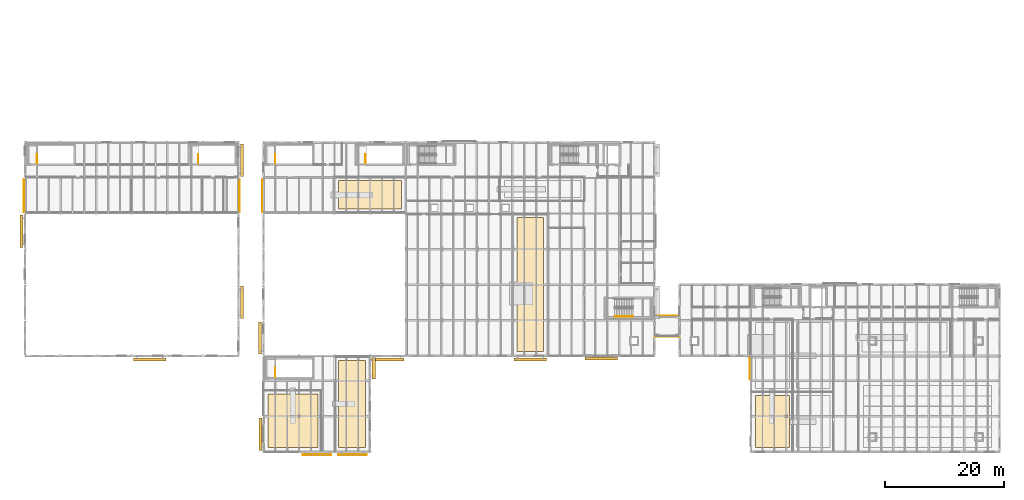
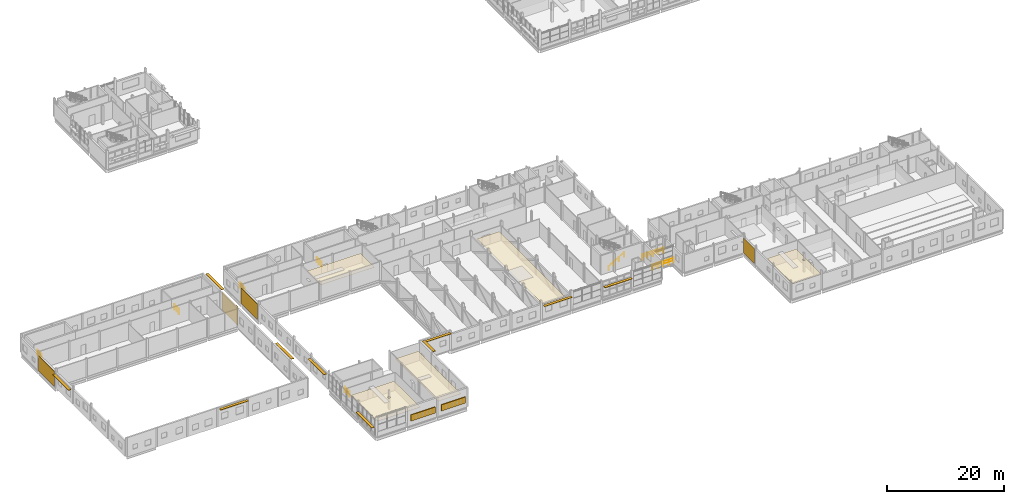
# One storey, part 85 of 92: 12 shading devices, 9 coverings, 8 railings.
"""IFC4 building model written with IfcOpenShell, lengths in metres."""

from ifc_helpers import new_model, si_unit, direction, frame, origin, origin_2d, place, context, subcontext, project, spatial, polyline, rectangle, circle, outline, extrude, material, layer, layer_set, type_object, element, save


model = new_model("IFC4")

# Units and contexts
model_context = context("Model", 3, precision=1e-05, world=origin(), true_north=direction((0.0, 1.0)))
body_context = subcontext(model_context, "Body", "Model", "MODEL_VIEW")
ifc_project = project(units=[si_unit("LENGTHUNIT", "METRE"), si_unit("AREAUNIT", "SQUARE_METRE"), si_unit("VOLUMEUNIT", "CUBIC_METRE"), si_unit("PLANEANGLEUNIT", "RADIAN"), si_unit("MASSUNIT", "GRAM", prefix="KILO")], contexts=[model_context])

# Site, building, storey
site_placement = place(None, origin())
site = spatial("IfcSite", under=ifc_project, at=site_placement, CompositionType="ELEMENT")
building_placement = place(site_placement, origin())
building = spatial("IfcBuilding", under=site, at=building_placement, Name="Siltcreek Boulevard Central Fire Station", CompositionType="ELEMENT")
storey_placement = place(building_placement, frame((0.0, 0.0, 6.0)))
storey = spatial("IfcBuildingStorey", under=building, at=storey_placement, Name="L02", CompositionType="ELEMENT", Elevation=6.0)

# Coverings
ifc_material_1 = material(Name="Mineral-fiber acoustic ceiling tile", Category="gypsum")
ifc_layer_1 = layer(ifc_material_1, 0.02490234375, Name="Mineral-fiber acoustic ceiling tile")
ifc_layer_set_1 = layer_set([ifc_layer_1], Name="Mineral-fiber acoustic ceiling tile")
covering_type_1 = type_object("IfcCoveringType", Name="COV_CEIL_ACT", PredefinedType="CEILING", material=ifc_layer_set_1)
covering_1_placement = place(storey_placement, frame((0.0, 0.0, 2.419921875)))
element("IfcCovering", 1, at=covering_1_placement, inside=storey, type_object=covering_type_1, Name="L02 Station Alerting Electronics Gallery acoustic ceiling ACT-011", PredefinedType="CEILING", context=body_context, shape_type="SweptSolid", body=[
    extrude(outline(polyline([(42.75, 2.550048828125), (51.179931640625, 2.550048828125), (51.179931640625, 11.580078125), (42.75, 11.580078125), (42.75, 2.550048828125)]), holes=[polyline([(47.800048828125, 7.60009765625), (48.199951171875, 7.60009765625), (48.199951171875, 8.0), (47.800048828125, 8.0), (47.800048828125, 7.60009765625)])]), origin(), (0.0, 0.0, 1.0), 0.025146484375),
])
covering_2_placement = place(storey_placement, frame((0.0, 0.0, 2.419921875)))
element("IfcCovering", 2, at=covering_2_placement, inside=storey, type_object=covering_type_1, Name="L02 Resilience Heritage Display Room acoustic ceiling ACT-012", PredefinedType="CEILING", context=body_context, shape_type="SweptSolid", body=[
    extrude(outline(polyline([(54.699951171875, 2.550048828125), (59.25, 2.550048828125), (59.25, 17.25), (54.699951171875, 17.25), (54.699951171875, 2.550048828125)])), origin(), (0.0, 0.0, 1.0), 0.025146484375),
])
covering_3_placement = place(storey_placement, frame((0.0, 0.0, 2.419921875)))
element("IfcCovering", 3, at=covering_3_placement, inside=storey, type_object=covering_type_1, Name="L02 Respiratory Calibration Laboratory acoustic ceiling ACT-013", PredefinedType="CEILING", context=body_context, shape_type="SweptSolid", body=[
    extrude(outline(polyline([(54.699951171875, 42.75), (65.300048828125, 42.75), (65.300048828125, 47.550048828125), (54.699951171875, 47.550048828125), (54.699951171875, 42.75)])), origin(), (0.0, 0.0, 1.0), 0.025146484375),
])
covering_4_placement = place(storey_placement, frame((0.0, 0.0, 2.419921875)))
element("IfcCovering", 4, at=covering_4_placement, inside=storey, type_object=covering_type_1, Name="L02 Shift Briefing Study Room acoustic ceiling ACT-014", PredefinedType="CEILING", context=body_context, shape_type="SweptSolid", body=[
    extrude(outline(polyline([(84.780029296875, 18.75), (89.219970703125, 18.75), (89.219970703125, 41.300048828125), (84.780029296875, 41.300048828125), (84.780029296875, 18.75)])), origin(), (0.0, 0.0, 1.0), 0.025146484375),
])
covering_5_placement = place(storey_placement, frame((0.0, 0.0, 2.419921875)))
element("IfcCovering", 5, at=covering_5_placement, inside=storey, type_object=covering_type_1, Name="L02 Training Classroom 201 acoustic ceiling ACT-022", PredefinedType="CEILING", context=body_context, shape_type="SweptSolid", body=[
    extrude(outline(polyline([(125.0, 2.550048828125), (130.699951171875, 2.550048828125), (130.699951171875, 11.300048828125), (125.0, 11.300048828125), (125.0, 2.550048828125)]), holes=[polyline([(130.0, 7.60009765625), (130.39990234375, 7.60009765625), (130.39990234375, 8.0), (130.0, 8.0), (130.0, 7.60009765625)])]), origin(), (0.0, 0.0, 1.0), 0.025146484375),
])
ifc_material_2 = material(Name="Crisp white ribbed aluminum facade panel", Category="aluminium")
ifc_layer_2 = layer(ifc_material_2, 0.0400390625, Name="Crisp white ribbed aluminum facade panel")
ifc_layer_set_2 = layer_set([ifc_layer_2], Name="Crisp white ribbed aluminum facade panel")
covering_type_2 = type_object("IfcCoveringType", Name="COV_CLAD_WHITE", PredefinedType="CLADDING", material=ifc_layer_set_2)
covering_6_placement = place(storey_placement, frame((41.822021484375, 45.0, 0.050048828125), z_axis=(0.0, 0.0, 1.0), x_axis=(0.0, -1.0, 0.0)))
element("IfcCovering", 6, at=covering_6_placement, inside=storey, type_object=covering_type_2, Name="L02 V1 ventilated facade cladding panel CL-002", PredefinedType="CLADDING", context=body_context, shape_type="SweptSolid", body=[
    extrude(rectangle(XDim=5.550048828125, YDim=0.0400390625, at=origin_2d()), origin(), (0.0, 0.0, 1.0), 3.23876953125),
])
covering_7_placement = place(storey_placement, frame((1.6220703125, 45.0, 0.050048828125), z_axis=(0.0, 0.0, 1.0), x_axis=(0.0, -1.0, 0.0)))
element("IfcCovering", 7, at=covering_7_placement, inside=storey, type_object=covering_type_2, Name="L02 V4 ventilated facade cladding panel CL-022", PredefinedType="CLADDING", context=body_context, shape_type="SweptSolid", body=[
    extrude(rectangle(XDim=5.550048828125, YDim=0.0400390625, at=origin_2d()), origin(), (0.0, 0.0, 1.0), 3.1494140625),
])
covering_8_placement = place(storey_placement, frame((37.97802734375, 45.0, 0.050048828125), z_axis=(0.0, 0.0, 1.0), x_axis=(0.0, 1.0, 0.0)))
element("IfcCovering", 8, at=covering_8_placement, inside=storey, type_object=covering_type_2, Name="L02 V4 ventilated facade cladding panel CL-023", PredefinedType="CLADDING", context=body_context, shape_type="SweptSolid", body=[
    extrude(rectangle(XDim=5.550048828125, YDim=0.0400390625, at=origin_2d()), origin(), (0.0, 0.0, 1.0), 3.89990234375),
])
covering_9_placement = place(storey_placement, frame((124.02197265625, 15.89990234375, 0.050048828125), z_axis=(0.0, 0.0, 1.0), x_axis=(0.0, -1.0, 0.0)))
element("IfcCovering", 9, at=covering_9_placement, inside=storey, type_object=covering_type_2, Name="L02 V6 ventilated facade cladding panel CL-027", PredefinedType="CLADDING", context=body_context, shape_type="SweptSolid", body=[
    extrude(rectangle(XDim=3.75, YDim=0.0400390625, at=origin_2d()), origin(), (0.0, 0.0, 1.0), 3.126953125),
])

# Railings
ifc_material_3 = material(Name="Painted galvanized steel stair guard", Category="steel")
railing_type_1 = type_object("IfcRailingType", Name="RL_ST_GUARD", PredefinedType="BALUSTRADE", material=ifc_material_3)
for number, where, name in (
    (10, (3.800048828125, 50.39990234375, 0.0), "L02 ST-V4A top well guard 1"),
    (11, (31.0, 50.39990234375, 0.0), "L02 ST-V4B top well guard 1"),
    (12, (44.0, 50.39990234375, 0.0), "L02 ST-V1A top well guard 1"),
    (13, (59.199951171875, 50.39990234375, 0.0), "L02 ST-V1B top well guard 1"),
    (14, (44.0, 14.39990234375, 0.0), "L02 ST-V1P top well guard 1"),
):
    element("IfcRailing", number, at=place(storey_placement, frame(where)), inside=storey, type_object=railing_type_1, Name=name, PredefinedType="BALUSTRADE", context=body_context, shape_type="SweptSolid", body=[
        extrude(circle(Radius=0.02392578125, at=origin_2d()), frame((0.0, 0.0, 1.076171875), z_axis=(0.0, 1.0, 0.0), x_axis=(-1.0, 0.0, 0.0)), (0.0, 0.0, 1.0), 1.60009765625),
        extrude(circle(Radius=0.02392578125, at=origin_2d()), frame((0.0, 0.0, 0.550048828125), z_axis=(0.0, 1.0, 0.0), x_axis=(-1.0, 0.0, 0.0)), (0.0, 0.0, 1.0), 1.60009765625),
        extrude(circle(Radius=0.02099609375, at=origin_2d()), origin(), (0.0, 0.0, 1.0), 1.052001953125),
        extrude(circle(Radius=0.02099609375, at=origin_2d()), frame((0.0, 0.800048828125, 0.0)), (0.0, 0.0, 1.0), 1.052001953125),
        extrude(circle(Radius=0.02099609375, at=origin_2d()), frame((0.0, 1.60009765625, 0.0)), (0.0, 0.0, 1.0), 1.052001953125),
    ])
ifc_material_4 = material(Name="Brushed stainless steel stair handrail", Category="steel")
railing_type_2 = type_object("IfcRailingType", Name="RL_ST_HAND", PredefinedType="HANDRAIL", material=ifc_material_4)
railing_placement = place(storey_placement, frame((101.25, 24.64990234375, 0.166748046875)))
element("IfcRailing", 15, at=railing_placement, inside=storey, type_object=railing_type_2, Name="L02 ST-V2B stair handrail 1", PredefinedType="HANDRAIL", context=body_context, shape_type="SweptSolid", body=[
    extrude(circle(Radius=0.02392578125, at=origin_2d()), frame((0.0, 0.0, 0.8759765625), z_axis=(0.859308565015, 0.0, 0.511457515432), x_axis=(0.0, 1.0, 0.0)), (0.0, 0.0, 1.0), 3.58447265625),
    extrude(circle(Radius=0.02099609375, at=origin_2d()), origin(), (0.0, 0.0, 1.0), 0.851806640625),
    extrude(circle(Radius=0.02099609375, at=origin_2d()), frame((1.026611328125, 0.0, 0.611083984375)), (0.0, 0.0, 1.0), 0.851806640625),
    extrude(circle(Radius=0.02099609375, at=origin_2d()), frame((2.053466796875, 0.0, 1.22216796875)), (0.0, 0.0, 1.0), 0.851806640625),
    extrude(circle(Radius=0.02099609375, at=origin_2d()), frame((3.080078125, 0.0, 1.833251953125)), (0.0, 0.0, 1.0), 0.851806640625),
])
ifc_material_5 = material(Name="Galvanized painted steel guardrail", Category="steel")
railing_type_3 = type_object("IfcRailingType", Name="RL_TER_GUARD", PredefinedType="BALUSTRADE", material=ifc_material_5)
for number, where, name in (
    (16, (108.0, 21.25, 0.0), "L02 Link Bridge S safety balustrade"),
    (17, (108.0, 24.75, 0.0), "L02 Link Bridge N safety balustrade"),
):
    element("IfcRailing", number, at=place(storey_placement, frame(where)), inside=storey, type_object=railing_type_3, Name=name, PredefinedType="BALUSTRADE", context=body_context, shape_type="SweptSolid", body=[
        extrude(circle(Radius=0.02392578125, at=origin_2d()), frame((0.0, 0.0, 1.076171875), z_axis=(1.0, 0.0, 0.0), x_axis=(0.0, 1.0, 0.0)), (0.0, 0.0, 1.0), 4.199951171875),
        extrude(circle(Radius=0.02392578125, at=origin_2d()), frame((0.0, 0.0, 0.550048828125), z_axis=(1.0, 0.0, 0.0), x_axis=(0.0, 1.0, 0.0)), (0.0, 0.0, 1.0), 4.199951171875),
        extrude(circle(Radius=0.02099609375, at=origin_2d()), origin(), (0.0, 0.0, 1.0), 1.052001953125),
        extrude(circle(Radius=0.02099609375, at=origin_2d()), frame((1.050048828125, 0.0, 0.0)), (0.0, 0.0, 1.0), 1.052001953125),
        extrude(circle(Radius=0.02099609375, at=origin_2d()), frame((2.10009765625, 0.0, 0.0)), (0.0, 0.0, 1.0), 1.052001953125),
        extrude(circle(Radius=0.02099609375, at=origin_2d()), frame((3.14990234375, 0.0, 0.0)), (0.0, 0.0, 1.0), 1.052001953125),
        extrude(circle(Radius=0.02099609375, at=origin_2d()), frame((4.199951171875, 0.0, 0.0)), (0.0, 0.0, 1.0), 1.052001953125),
    ])

# Shading devices
ifc_material_6 = material(Name="Frey sage-green anodized tubular aluminum sunshade", Category="aluminium")
ifc_layer_3 = layer(ifc_material_6, 0.080078125, Name="Frey sage-green anodized tubular aluminum sunshade")
ifc_layer_set_3 = layer_set([ifc_layer_3], Name="Frey sage-green anodized tubular aluminum sunshade")
shading_device_type_1 = type_object("IfcShadingDeviceType", Name="SHD_BRISE", PredefinedType="USERDEFINED", material=ifc_layer_set_3)
for number, where, z_axis, x_axis, name in (
    (18, (63.0, 17.39990234375, 3.820068359375), (0.0, 0.0, 1.0), (1.0, 0.0, 0.0), "Anodized tubular aluminum brise-soleil SS-014"),
    (19, (41.5400390625, 4.800048828125, 1.76513671875), (0.0, 0.0, 1.0), (0.0, -1.0, 0.0), "Anodized tubular aluminum brise-soleil SS-015"),
    (20, (41.39990234375, 21.0, 3.137939453125), (0.0, 0.0, 1.0), (0.0, -1.0, 0.0), "Anodized tubular aluminum brise-soleil SS-016"),
):
    element("IfcShadingDevice", number, at=place(storey_placement, frame(where, z_axis=z_axis, x_axis=x_axis)), inside=storey, type_object=shading_device_type_1, Name=name, ObjectType="SUNSHADE", PredefinedType="USERDEFINED", context=body_context, shape_type="SweptSolid", body=[
        extrude(rectangle(XDim=5.469970703125, YDim=0.52001953125, at=origin_2d()), origin(), (0.0, 0.0, 1.0), 0.080078125),
    ])
shading_device_placement = place(storey_placement, frame((60.614990234375, 15.89990234375, 3.820068359375), z_axis=(0.0, 0.0, 1.0), x_axis=(0.0, 1.0, 0.0)))
element("IfcShadingDevice", 21, at=shading_device_placement, inside=storey, type_object=shading_device_type_1, Name="Anodized tubular aluminum brise-soleil SS-017", ObjectType="SUNSHADE", PredefinedType="USERDEFINED", context=body_context, shape_type="SweptSolid", body=[
    extrude(rectangle(XDim=3.669921875, YDim=0.52001953125, at=origin_2d()), origin(), (0.0, 0.0, 1.0), 0.080078125),
])
for number, where, z_axis, x_axis, name in (
    (22, (87.0, 17.39990234375, 3.04296875), (0.0, 0.0, 1.0), (1.0, 0.0, 0.0), "Anodized tubular aluminum brise-soleil SS-020"),
    (23, (99.0, 17.5400390625, 2.6552734375), (0.0, 0.0, 1.0), (1.0, 0.0, 0.0), "Anodized tubular aluminum brise-soleil SS-021"),
    (24, (22.800048828125, 17.39990234375, 3.820068359375), (0.0, 0.0, 1.0), (1.0, 0.0, 0.0), "Anodized tubular aluminum brise-soleil SS-076"),
    (25, (1.199951171875, 39.0, 3.049072265625), (0.0, 0.0, 1.0), (0.0, -1.0, 0.0), "Anodized tubular aluminum brise-soleil SS-077"),
    (26, (38.39990234375, 27.0, 3.820068359375), (0.0, 0.0, 1.0), (0.0, 1.0, 0.0), "Anodized tubular aluminum brise-soleil SS-078"),
    (27, (38.39990234375, 51.0, 3.820068359375), (0.0, 0.0, 1.0), (0.0, 1.0, 0.0), "Anodized tubular aluminum brise-soleil SS-079"),
):
    element("IfcShadingDevice", number, at=place(storey_placement, frame(where, z_axis=z_axis, x_axis=x_axis)), inside=storey, type_object=shading_device_type_1, Name=name, ObjectType="SUNSHADE", PredefinedType="USERDEFINED", context=body_context, shape_type="SweptSolid", body=[
        extrude(rectangle(XDim=5.469970703125, YDim=0.52001953125, at=origin_2d()), origin(), (0.0, 0.0, 1.0), 0.080078125),
    ])
ifc_material_7 = material(Name="Frey sage-green anodized aluminum station sign fascia", Category="aluminium")
ifc_layer_4 = layer(ifc_material_7, 1.35009765625, Name="Frey sage-green anodized aluminum station sign fascia")
ifc_layer_set_4 = layer_set([ifc_layer_4], Name="Frey sage-green anodized aluminum station sign fascia")
shading_device_type_2 = type_object("IfcShadingDeviceType", Name="SHD_SIGN_BOARD", PredefinedType="USERDEFINED", material=ifc_layer_set_4)
for number, where, z_axis, x_axis, name in (
    (28, (51.0, 1.344970703125, 1.2001953125), (0.0, 0.0, 1.0), (1.0, 0.0, 0.0), "Central station fascia sign board SS-002"),
    (29, (57.0, 1.344970703125, 1.2001953125), (0.0, 0.0, 1.0), (1.0, 0.0, 0.0), "Central station fascia sign board SS-008"),
):
    element("IfcShadingDevice", number, at=place(storey_placement, frame(where, z_axis=z_axis, x_axis=x_axis)), inside=storey, type_object=shading_device_type_2, Name=name, ObjectType="SUNSHADE", PredefinedType="USERDEFINED", context=body_context, shape_type="SweptSolid", body=[
        extrude(rectangle(XDim=4.81005859375, YDim=0.159912109375, at=origin_2d()), origin(), (0.0, 0.0, 1.0), 1.300048828125),
    ])

save(model, "model.ifc")
